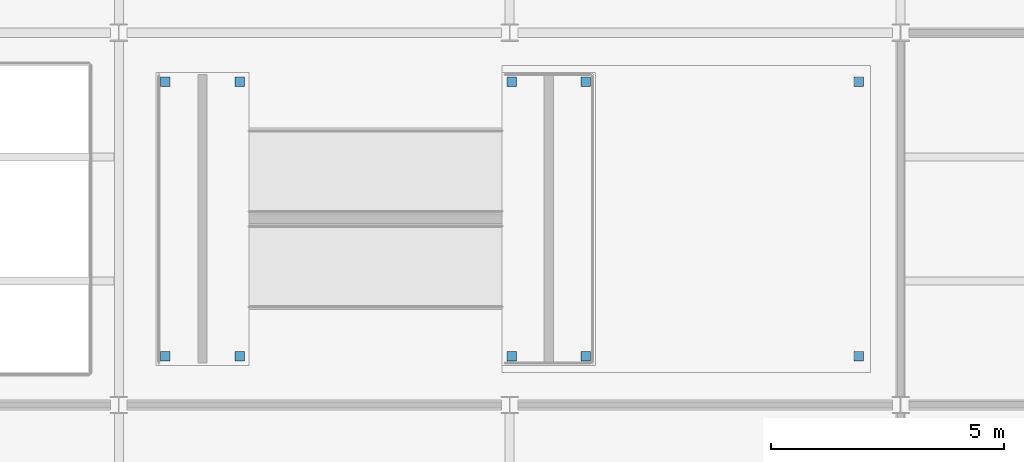
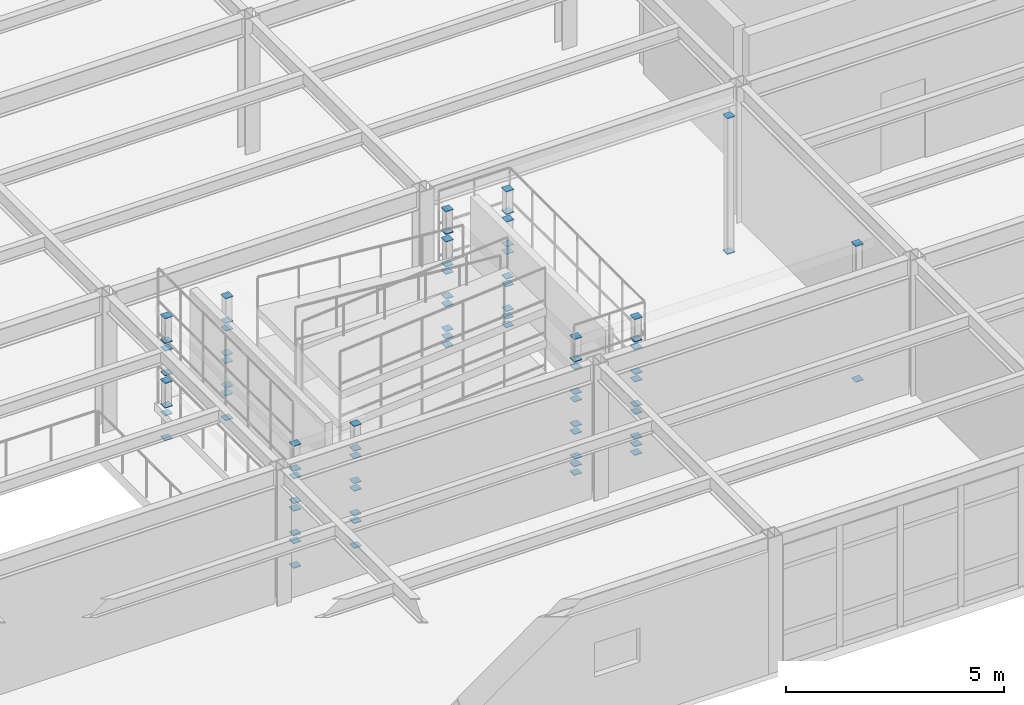
# One storey, part 86 of 138: 76 discrete accessories.
"""IFC4 building model written with IfcOpenShell, lengths in metres."""

from ifc_helpers import new_model, si_unit, direction, frame, origin, origin_2d, place, context, subcontext, project, spatial, rectangle, extrude, material, layer, layer_set, type_object, element, save


model = new_model("IFC4")

# Units and contexts
model_context = context("Model", 3, precision=1e-05, world=origin(), true_north=direction((0.0, 1.0)))
body_context = subcontext(model_context, "Body", "Model", "MODEL_VIEW")
ifc_project = project(units=[si_unit("LENGTHUNIT", "METRE"), si_unit("AREAUNIT", "SQUARE_METRE"), si_unit("VOLUMEUNIT", "CUBIC_METRE"), si_unit("PLANEANGLEUNIT", "RADIAN"), si_unit("MASSUNIT", "GRAM", prefix="KILO")], contexts=[model_context])

# Site, building, storey
site_placement = place(None, origin())
site = spatial("IfcSite", under=ifc_project, at=site_placement, CompositionType="ELEMENT")
building_placement = place(site_placement, origin())
building = spatial("IfcBuilding", under=site, at=building_placement, Name="Kranzveld Transit Interchange", CompositionType="ELEMENT")
storey_placement = place(building_placement, frame((0.0, 0.0, 5.43994140625)))
storey = spatial("IfcBuildingStorey", under=building, at=storey_placement, Name="L01", CompositionType="ELEMENT", Elevation=5.43994140625)

# Discrete accessories
ifc_material = material(Name="Steel S355JR", Category="steel")
ifc_layer = layer(ifc_material, 0.02001953125)
ifc_layer_set = layer_set([ifc_layer], Name="Steel S355JR")
discrete_accessory_type = type_object("IfcDiscreteAccessoryType", Name="Hollow Section End Cap Bracket 20 S355JR", PredefinedType="BRACKET", material=ifc_layer_set)
for number, where, z_axis, x_axis, name in (
    (1, (42.0400390625, 25.050048828125, 0.006103515625), (0.0, 0.0, -1.0), (1.0, 0.0, 0.0), "Hollow Section End Cap C-SHS180-1"),
    (2, (42.0400390625, 25.050048828125, 0.227294921875), (0.0, 0.0, 1.0), (1.0, 0.0, 0.0), "Hollow Section End Cap C-SHS180-2"),
    (3, (42.0400390625, 30.949951171875, 0.006103515625), (0.0, 0.0, -1.0), (1.0, 0.0, 0.0), "Hollow Section End Cap C-SHS180-1"),
    (4, (42.0400390625, 30.949951171875, 0.227294921875), (0.0, 0.0, 1.0), (1.0, 0.0, 0.0), "Hollow Section End Cap C-SHS180-2"),
    (5, (43.639892578125, 25.050048828125, 0.006103515625), (0.0, 0.0, -1.0), (1.0, 0.0, 0.0), "Hollow Section End Cap C-SHS180-1"),
    (6, (43.639892578125, 25.050048828125, 0.227294921875), (0.0, 0.0, 1.0), (1.0, 0.0, 0.0), "Hollow Section End Cap C-SHS180-2"),
    (7, (43.639892578125, 30.949951171875, 0.006103515625), (0.0, 0.0, -1.0), (1.0, 0.0, 0.0), "Hollow Section End Cap C-SHS180-1"),
    (8, (43.639892578125, 30.949951171875, 0.227294921875), (0.0, 0.0, 1.0), (1.0, 0.0, 0.0), "Hollow Section End Cap C-SHS180-2"),
    (9, (34.60009765625, 25.050048828125, 0.006103515625), (0.0, 0.0, -1.0), (1.0, 0.0, 0.0), "Hollow Section End Cap C-SHS180-1"),
    (10, (34.60009765625, 25.050048828125, 0.6806640625), (0.0, 0.0, 1.0), (1.0, 0.0, 0.0), "Hollow Section End Cap C-SHS180-2"),
    (11, (34.60009765625, 30.949951171875, 0.006103515625), (0.0, 0.0, -1.0), (1.0, 0.0, 0.0), "Hollow Section End Cap C-SHS180-1"),
    (12, (34.60009765625, 30.949951171875, 0.6806640625), (0.0, 0.0, 1.0), (1.0, 0.0, 0.0), "Hollow Section End Cap C-SHS180-2"),
    (13, (36.199951171875, 25.050048828125, 0.006103515625), (0.0, 0.0, -1.0), (1.0, 0.0, 0.0), "Hollow Section End Cap C-SHS180-1"),
    (14, (36.199951171875, 25.050048828125, 0.6806640625), (0.0, 0.0, 1.0), (1.0, 0.0, 0.0), "Hollow Section End Cap C-SHS180-2"),
    (15, (36.199951171875, 30.949951171875, 0.006103515625), (0.0, 0.0, -1.0), (1.0, 0.0, 0.0), "Hollow Section End Cap C-SHS180-1"),
    (16, (36.199951171875, 30.949951171875, 0.6806640625), (0.0, 0.0, 1.0), (1.0, 0.0, 0.0), "Hollow Section End Cap C-SHS180-2"),
    (17, (42.0400390625, 25.050048828125, 0.45947265625), (0.0, 0.0, -1.0), (1.0, 0.0, 0.0), "Hollow Section End Cap C-SHS180-1"),
    (18, (42.0400390625, 25.050048828125, 1.134033203125), (0.0, 0.0, 1.0), (1.0, 0.0, 0.0), "Hollow Section End Cap C-SHS180-2"),
    (19, (42.0400390625, 30.949951171875, 0.45947265625), (0.0, 0.0, -1.0), (1.0, 0.0, 0.0), "Hollow Section End Cap C-SHS180-1"),
    (20, (42.0400390625, 30.949951171875, 1.134033203125), (0.0, 0.0, 1.0), (1.0, 0.0, 0.0), "Hollow Section End Cap C-SHS180-2"),
    (21, (43.639892578125, 25.050048828125, 0.45947265625), (0.0, 0.0, -1.0), (1.0, 0.0, 0.0), "Hollow Section End Cap C-SHS180-1"),
    (22, (43.639892578125, 25.050048828125, 1.134033203125), (0.0, 0.0, 1.0), (1.0, 0.0, 0.0), "Hollow Section End Cap C-SHS180-2"),
    (23, (43.639892578125, 30.949951171875, 0.45947265625), (0.0, 0.0, -1.0), (1.0, 0.0, 0.0), "Hollow Section End Cap C-SHS180-1"),
    (24, (43.639892578125, 30.949951171875, 1.134033203125), (0.0, 0.0, 1.0), (1.0, 0.0, 0.0), "Hollow Section End Cap C-SHS180-2"),
    (25, (34.60009765625, 25.050048828125, 0.912841796875), (0.0, 0.0, -1.0), (1.0, 0.0, 0.0), "Hollow Section End Cap C-SHS180-1"),
    (26, (34.60009765625, 25.050048828125, 1.58740234375), (0.0, 0.0, 1.0), (1.0, 0.0, 0.0), "Hollow Section End Cap C-SHS180-2"),
    (27, (34.60009765625, 30.949951171875, 0.912841796875), (0.0, 0.0, -1.0), (1.0, 0.0, 0.0), "Hollow Section End Cap C-SHS180-1"),
    (28, (34.60009765625, 30.949951171875, 1.58740234375), (0.0, 0.0, 1.0), (1.0, 0.0, 0.0), "Hollow Section End Cap C-SHS180-2"),
    (29, (36.199951171875, 25.050048828125, 0.912841796875), (0.0, 0.0, -1.0), (1.0, 0.0, 0.0), "Hollow Section End Cap C-SHS180-1"),
    (30, (36.199951171875, 25.050048828125, 1.58740234375), (0.0, 0.0, 1.0), (1.0, 0.0, 0.0), "Hollow Section End Cap C-SHS180-2"),
    (31, (36.199951171875, 30.949951171875, 0.912841796875), (0.0, 0.0, -1.0), (1.0, 0.0, 0.0), "Hollow Section End Cap C-SHS180-1"),
    (32, (36.199951171875, 30.949951171875, 1.58740234375), (0.0, 0.0, 1.0), (1.0, 0.0, 0.0), "Hollow Section End Cap C-SHS180-2"),
    (33, (42.0400390625, 25.050048828125, 1.365966796875), (0.0, 0.0, -1.0), (1.0, 0.0, 0.0), "Hollow Section End Cap C-SHS180-1"),
    (34, (42.0400390625, 25.050048828125, 2.040771484375), (0.0, 0.0, 1.0), (1.0, 0.0, 0.0), "Hollow Section End Cap C-SHS180-2"),
    (35, (42.0400390625, 30.949951171875, 1.365966796875), (0.0, 0.0, -1.0), (1.0, 0.0, 0.0), "Hollow Section End Cap C-SHS180-1"),
    (36, (42.0400390625, 30.949951171875, 2.040771484375), (0.0, 0.0, 1.0), (1.0, 0.0, 0.0), "Hollow Section End Cap C-SHS180-2"),
    (37, (43.639892578125, 25.050048828125, 1.365966796875), (0.0, 0.0, -1.0), (1.0, 0.0, 0.0), "Hollow Section End Cap C-SHS180-1"),
    (38, (43.639892578125, 25.050048828125, 2.040771484375), (0.0, 0.0, 1.0), (1.0, 0.0, 0.0), "Hollow Section End Cap C-SHS180-2"),
    (39, (43.639892578125, 30.949951171875, 1.365966796875), (0.0, 0.0, -1.0), (1.0, 0.0, 0.0), "Hollow Section End Cap C-SHS180-1"),
    (40, (43.639892578125, 30.949951171875, 2.040771484375), (0.0, 0.0, 1.0), (1.0, 0.0, 0.0), "Hollow Section End Cap C-SHS180-2"),
    (41, (34.60009765625, 25.050048828125, 1.8193359375), (0.0, 0.0, -1.0), (1.0, 0.0, 0.0), "Hollow Section End Cap C-SHS180-1"),
    (42, (34.60009765625, 25.050048828125, 2.494140625), (0.0, 0.0, 1.0), (1.0, 0.0, 0.0), "Hollow Section End Cap C-SHS180-2"),
    (43, (34.60009765625, 30.949951171875, 1.8193359375), (0.0, 0.0, -1.0), (1.0, 0.0, 0.0), "Hollow Section End Cap C-SHS180-1"),
    (44, (34.60009765625, 30.949951171875, 2.494140625), (0.0, 0.0, 1.0), (1.0, 0.0, 0.0), "Hollow Section End Cap C-SHS180-2"),
    (45, (36.199951171875, 25.050048828125, 1.8193359375), (0.0, 0.0, -1.0), (1.0, 0.0, 0.0), "Hollow Section End Cap C-SHS180-1"),
    (46, (36.199951171875, 25.050048828125, 2.494140625), (0.0, 0.0, 1.0), (1.0, 0.0, 0.0), "Hollow Section End Cap C-SHS180-2"),
    (47, (36.199951171875, 30.949951171875, 1.8193359375), (0.0, 0.0, -1.0), (1.0, 0.0, 0.0), "Hollow Section End Cap C-SHS180-1"),
    (48, (36.199951171875, 30.949951171875, 2.494140625), (0.0, 0.0, 1.0), (1.0, 0.0, 0.0), "Hollow Section End Cap C-SHS180-2"),
    (49, (42.0400390625, 25.050048828125, 2.272705078125), (0.0, 0.0, -1.0), (1.0, 0.0, 0.0), "Hollow Section End Cap C-SHS180-1"),
):
    element("IfcDiscreteAccessory", number, at=place(storey_placement, frame(where, z_axis=z_axis, x_axis=x_axis)), inside=storey, type_object=discrete_accessory_type, Name=name, PredefinedType="BRACKET", context=body_context, shape_type="SweptSolid", body=[
        extrude(rectangle(XDim=0.2041015625, YDim=0.2041015625, at=origin_2d()), origin(), (0.0, 0.0, 1.0), 0.02001953125),
    ])
discrete_accessory_1_placement = place(storey_placement, frame((42.0400390625, 25.050048828125, 2.947509765625), z_axis=(0.0, 0.0, 1.0), x_axis=(1.0, 0.0, 0.0)))
element("IfcDiscreteAccessory", 50, at=discrete_accessory_1_placement, inside=storey, type_object=discrete_accessory_type, Name="Hollow Section End Cap C-SHS180-2", PredefinedType="BRACKET", context=body_context, shape_type="SweptSolid", body=[
    extrude(rectangle(XDim=0.2041015625, YDim=0.2041015625, at=origin_2d()), origin(), (0.0, 0.0, 1.0), 0.019775390625),
])
discrete_accessory_2_placement = place(storey_placement, frame((42.0400390625, 30.949951171875, 2.272705078125), z_axis=(0.0, 0.0, -1.0), x_axis=(1.0, 0.0, 0.0)))
element("IfcDiscreteAccessory", 51, at=discrete_accessory_2_placement, inside=storey, type_object=discrete_accessory_type, Name="Hollow Section End Cap C-SHS180-1", PredefinedType="BRACKET", context=body_context, shape_type="SweptSolid", body=[
    extrude(rectangle(XDim=0.2041015625, YDim=0.2041015625, at=origin_2d()), origin(), (0.0, 0.0, 1.0), 0.02001953125),
])
discrete_accessory_3_placement = place(storey_placement, frame((42.0400390625, 30.949951171875, 2.947509765625), z_axis=(0.0, 0.0, 1.0), x_axis=(1.0, 0.0, 0.0)))
element("IfcDiscreteAccessory", 52, at=discrete_accessory_3_placement, inside=storey, type_object=discrete_accessory_type, Name="Hollow Section End Cap C-SHS180-2", PredefinedType="BRACKET", context=body_context, shape_type="SweptSolid", body=[
    extrude(rectangle(XDim=0.2041015625, YDim=0.2041015625, at=origin_2d()), origin(), (0.0, 0.0, 1.0), 0.019775390625),
])
discrete_accessory_4_placement = place(storey_placement, frame((43.639892578125, 25.050048828125, 2.272705078125), z_axis=(0.0, 0.0, -1.0), x_axis=(1.0, 0.0, 0.0)))
element("IfcDiscreteAccessory", 53, at=discrete_accessory_4_placement, inside=storey, type_object=discrete_accessory_type, Name="Hollow Section End Cap C-SHS180-1", PredefinedType="BRACKET", context=body_context, shape_type="SweptSolid", body=[
    extrude(rectangle(XDim=0.2041015625, YDim=0.2041015625, at=origin_2d()), origin(), (0.0, 0.0, 1.0), 0.02001953125),
])
discrete_accessory_5_placement = place(storey_placement, frame((43.639892578125, 25.050048828125, 2.947509765625), z_axis=(0.0, 0.0, 1.0), x_axis=(1.0, 0.0, 0.0)))
element("IfcDiscreteAccessory", 54, at=discrete_accessory_5_placement, inside=storey, type_object=discrete_accessory_type, Name="Hollow Section End Cap C-SHS180-2", PredefinedType="BRACKET", context=body_context, shape_type="SweptSolid", body=[
    extrude(rectangle(XDim=0.2041015625, YDim=0.2041015625, at=origin_2d()), origin(), (0.0, 0.0, 1.0), 0.019775390625),
])
discrete_accessory_6_placement = place(storey_placement, frame((43.639892578125, 30.949951171875, 2.272705078125), z_axis=(0.0, 0.0, -1.0), x_axis=(1.0, 0.0, 0.0)))
element("IfcDiscreteAccessory", 55, at=discrete_accessory_6_placement, inside=storey, type_object=discrete_accessory_type, Name="Hollow Section End Cap C-SHS180-1", PredefinedType="BRACKET", context=body_context, shape_type="SweptSolid", body=[
    extrude(rectangle(XDim=0.2041015625, YDim=0.2041015625, at=origin_2d()), origin(), (0.0, 0.0, 1.0), 0.02001953125),
])
discrete_accessory_7_placement = place(storey_placement, frame((43.639892578125, 30.949951171875, 2.947509765625), z_axis=(0.0, 0.0, 1.0), x_axis=(1.0, 0.0, 0.0)))
element("IfcDiscreteAccessory", 56, at=discrete_accessory_7_placement, inside=storey, type_object=discrete_accessory_type, Name="Hollow Section End Cap C-SHS180-2", PredefinedType="BRACKET", context=body_context, shape_type="SweptSolid", body=[
    extrude(rectangle(XDim=0.2041015625, YDim=0.2041015625, at=origin_2d()), origin(), (0.0, 0.0, 1.0), 0.019775390625),
])
for number, where, z_axis, x_axis, name in (
    (57, (34.60009765625, 25.050048828125, 2.72607421875), (0.0, 0.0, -1.0), (1.0, 0.0, 0.0), "Hollow Section End Cap C-SHS180-1"),
    (58, (34.60009765625, 25.050048828125, 3.400634765625), (0.0, 0.0, 1.0), (1.0, 0.0, 0.0), "Hollow Section End Cap C-SHS180-2"),
    (59, (34.60009765625, 30.949951171875, 2.72607421875), (0.0, 0.0, -1.0), (1.0, 0.0, 0.0), "Hollow Section End Cap C-SHS180-1"),
    (60, (34.60009765625, 30.949951171875, 3.400634765625), (0.0, 0.0, 1.0), (1.0, 0.0, 0.0), "Hollow Section End Cap C-SHS180-2"),
    (61, (36.199951171875, 25.050048828125, 2.72607421875), (0.0, 0.0, -1.0), (1.0, 0.0, 0.0), "Hollow Section End Cap C-SHS180-1"),
    (62, (36.199951171875, 25.050048828125, 3.400634765625), (0.0, 0.0, 1.0), (1.0, 0.0, 0.0), "Hollow Section End Cap C-SHS180-2"),
    (63, (36.199951171875, 30.949951171875, 2.72607421875), (0.0, 0.0, -1.0), (1.0, 0.0, 0.0), "Hollow Section End Cap C-SHS180-1"),
    (64, (36.199951171875, 30.949951171875, 3.400634765625), (0.0, 0.0, 1.0), (1.0, 0.0, 0.0), "Hollow Section End Cap C-SHS180-2"),
    (65, (42.0400390625, 25.050048828125, 3.179443359375), (0.0, 0.0, -1.0), (1.0, 0.0, 0.0), "Hollow Section End Cap C-SHS180-1"),
    (66, (42.0400390625, 25.050048828125, 3.7919921875), (0.0, 0.0, 1.0), (1.0, 0.0, 0.0), "Hollow Section End Cap C-SHS180-2"),
    (67, (42.0400390625, 30.949951171875, 3.179443359375), (0.0, 0.0, -1.0), (1.0, 0.0, 0.0), "Hollow Section End Cap C-SHS180-1"),
    (68, (42.0400390625, 30.949951171875, 3.7919921875), (0.0, 0.0, 1.0), (1.0, 0.0, 0.0), "Hollow Section End Cap C-SHS180-2"),
    (69, (43.639892578125, 25.050048828125, 3.179443359375), (0.0, 0.0, -1.0), (1.0, 0.0, 0.0), "Hollow Section End Cap C-SHS180-1"),
    (70, (43.639892578125, 25.050048828125, 3.7919921875), (0.0, 0.0, 1.0), (1.0, 0.0, 0.0), "Hollow Section End Cap C-SHS180-2"),
    (71, (43.639892578125, 30.949951171875, 3.179443359375), (0.0, 0.0, -1.0), (1.0, 0.0, 0.0), "Hollow Section End Cap C-SHS180-1"),
    (72, (43.639892578125, 30.949951171875, 3.7919921875), (0.0, 0.0, 1.0), (1.0, 0.0, 0.0), "Hollow Section End Cap C-SHS180-2"),
    (73, (49.5, 25.050048828125, 0.006103515625), (0.0, 0.0, -1.0), (1.0, 0.0, 0.0), "Hollow Section End Cap C-SHS180-1"),
    (74, (49.5, 25.050048828125, 3.7919921875), (0.0, 0.0, 1.0), (1.0, 0.0, 0.0), "Hollow Section End Cap C-SHS180-2"),
    (75, (49.5, 30.949951171875, 0.006103515625), (0.0, 0.0, -1.0), (1.0, 0.0, 0.0), "Hollow Section End Cap C-SHS180-1"),
    (76, (49.5, 30.949951171875, 3.7919921875), (0.0, 0.0, 1.0), (1.0, 0.0, 0.0), "Hollow Section End Cap C-SHS180-2"),
):
    element("IfcDiscreteAccessory", number, at=place(storey_placement, frame(where, z_axis=z_axis, x_axis=x_axis)), inside=storey, type_object=discrete_accessory_type, Name=name, PredefinedType="BRACKET", context=body_context, shape_type="SweptSolid", body=[
        extrude(rectangle(XDim=0.2041015625, YDim=0.2041015625, at=origin_2d()), origin(), (0.0, 0.0, 1.0), 0.02001953125),
    ])

save(model, "model.ifc")
